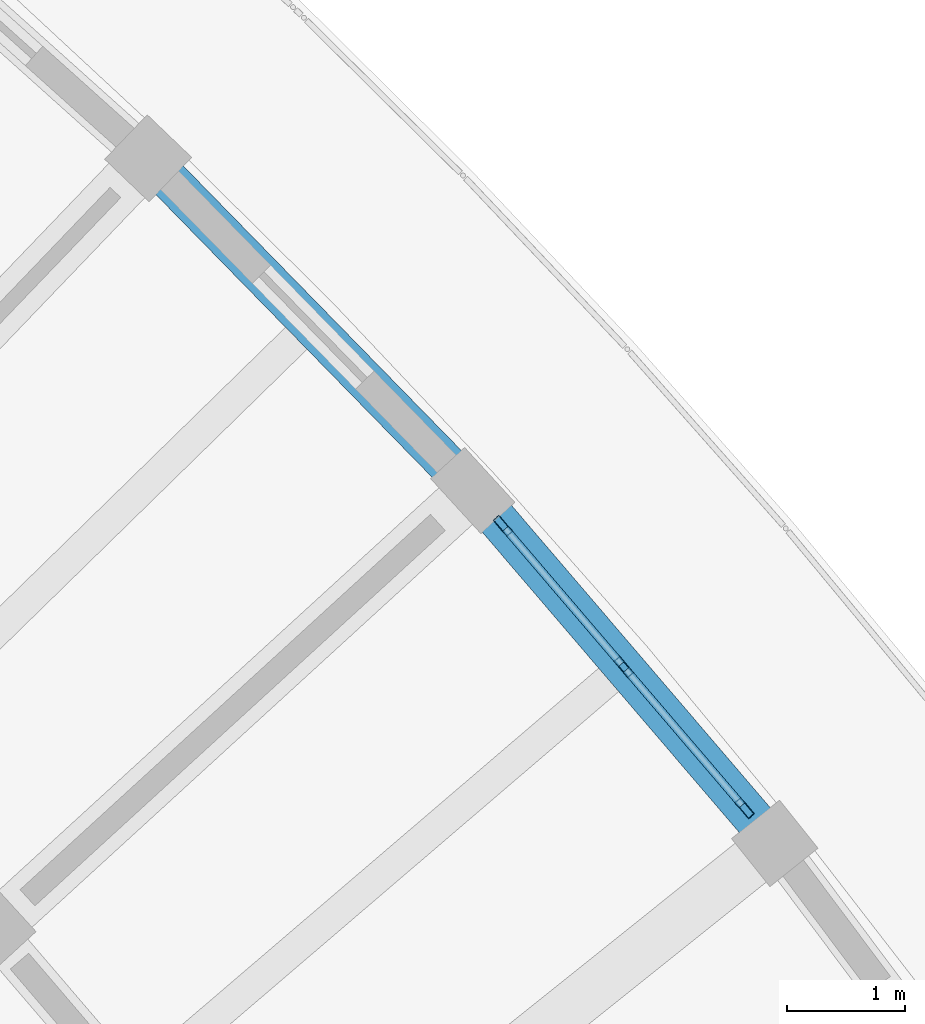
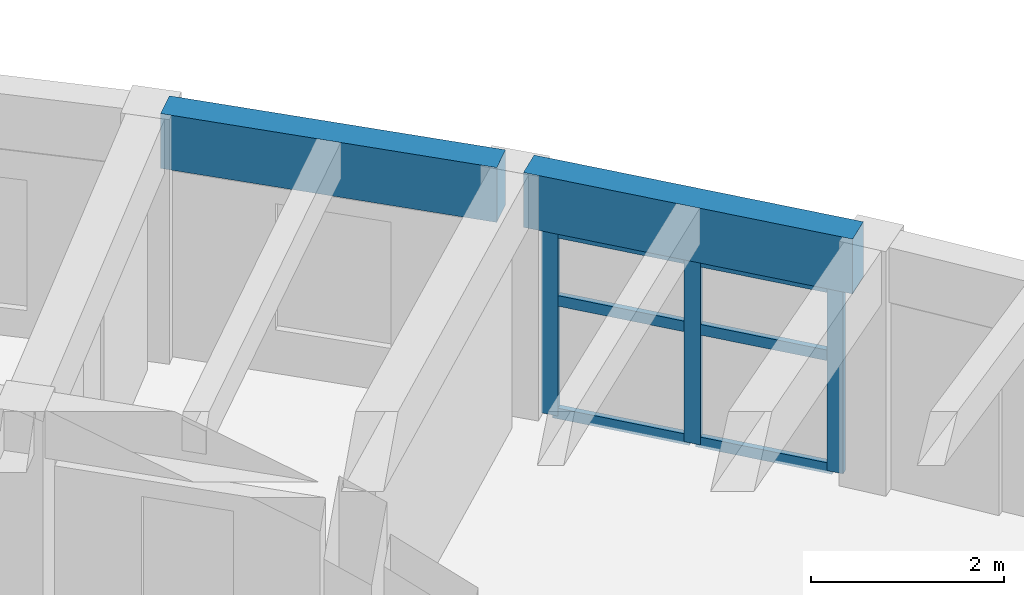
# One storey, part 11 of 32: 9 members, 2 beams, 1 element without a shape of its own.
"""IFC4 building model written with IfcOpenShell, lengths in metres."""

from ifc_helpers import new_model, si_unit, direction, frame, origin, origin_2d, place, context, subcontext, project, spatial, rectangle, hollow_rectangle, extrude, material, material_profile, profile_set, type_object, element, aggregate, save


model = new_model("IFC4")

# Units and contexts
model_context = context("Model", 3, precision=1e-05, world=origin(), true_north=direction((0.0, 1.0)))
body_context = subcontext(model_context, "Body", "Model", "MODEL_VIEW")
ifc_project = project(units=[si_unit("LENGTHUNIT", "METRE"), si_unit("AREAUNIT", "SQUARE_METRE"), si_unit("VOLUMEUNIT", "CUBIC_METRE"), si_unit("PLANEANGLEUNIT", "RADIAN"), si_unit("MASSUNIT", "GRAM", prefix="KILO")], contexts=[model_context])

# Site, building, storey
site_placement = place(None, origin())
site = spatial("IfcSite", under=ifc_project, at=site_placement, CompositionType="ELEMENT")
building_placement = place(site_placement, origin())
building = spatial("IfcBuilding", under=site, at=building_placement, Name="Tanwirah Colonnade Gardens", CompositionType="ELEMENT")
storey_placement = place(building_placement, frame((0.0, 0.0, 42.43994140625)))
storey = spatial("IfcBuildingStorey", under=building, at=storey_placement, Name="L12", CompositionType="ELEMENT", Elevation=42.43994140625)

# Curtain wall, members
ifc_material_1 = material(Name="Bronze-anodised aluminium and solar-control low-E glass", Category="aluminium")
curtain_wall_type = type_object("IfcCurtainWallType", Name="CW-LOB", PredefinedType="NOTDEFINED", material=ifc_material_1)
curtain_wall_placement = place(storey_placement, origin())
curtain_wall = element("IfcCurtainWall", 1, at=curtain_wall_placement, inside=storey, type_object=curtain_wall_type, Name="Curtain Wall CW-B-L12-OUT-06", PredefinedType="NOTDEFINED")
ifc_material_2 = material(Name="Bronze-anodised aluminium", Category="aluminium")
ifc_material_profile_1 = material_profile(ifc_material_2, hollow_rectangle(XDim=0.06494140625, YDim=0.179931640625, WallThickness=0.00390625, at=origin_2d()), Name="CW-MUL 65x180x4")
ifc_profile_set_1 = profile_set([ifc_material_profile_1], Name="Bronze-anodised aluminium")
member_type_1 = type_object("IfcMemberType", Name="CWM-65x180", PredefinedType="MULLION", material=ifc_profile_set_1)
member_1_placement = place(storey_placement, frame((167.2412109375, 97.704345703125, 0.0), z_axis=(0.0, 0.0, 1.0), x_axis=(-0.75977514318, -0.650185920953, 0.0)))
member_1 = element("IfcMember", 2, at=member_1_placement, type_object=member_type_1, Name="CW-LOB mullion 1", PredefinedType="MULLION", context=body_context, shape_type="SweptSolid", body=[
    extrude(hollow_rectangle(XDim=0.06494140625, YDim=0.179931640625, WallThickness=0.00390625, at=origin_2d()), origin(), (0.0, 0.0, 1.0), 2.35498046875),
])
member_2_placement = place(storey_placement, frame((166.219970703125, 98.8974609375, 0.0), z_axis=(0.0, 0.0, 1.0), x_axis=(-0.75977514318, -0.650185920953, 0.0)))
member_2 = element("IfcMember", 3, at=member_2_placement, type_object=member_type_1, Name="CW-LOB mullion 2", PredefinedType="MULLION", context=body_context, shape_type="SweptSolid", body=[
    extrude(hollow_rectangle(XDim=0.06494140625, YDim=0.179931640625, WallThickness=0.00390625, at=origin_2d()), origin(), (0.0, 0.0, 1.0), 2.35498046875),
])
member_3_placement = place(storey_placement, frame((165.198974609375, 100.090576171875, 0.0), z_axis=(0.0, 0.0, 1.0), x_axis=(-0.75977514318, -0.650185920953, 0.0)))
member_3 = element("IfcMember", 4, at=member_3_placement, type_object=member_type_1, Name="CW-LOB mullion 3", PredefinedType="MULLION", context=body_context, shape_type="SweptSolid", body=[
    extrude(hollow_rectangle(XDim=0.06494140625, YDim=0.179931640625, WallThickness=0.00390625, at=origin_2d()), origin(), (0.0, 0.0, 1.0), 2.35498046875),
])
ifc_material_profile_2 = material_profile(ifc_material_2, hollow_rectangle(XDim=0.06494140625, YDim=0.135009765625, WallThickness=0.00390625, at=origin_2d()), Name="CW-TRN 65x135x4")
ifc_profile_set_2 = profile_set([ifc_material_profile_2], Name="Bronze-anodised aluminium")
member_type_2 = type_object("IfcMemberType", Name="CWT-65x135", PredefinedType="USERDEFINED", material=ifc_profile_set_2)
member_4_placement = place(storey_placement, frame((167.219970703125, 97.72900390625, 0.032470703125), z_axis=(-0.650163434669, 0.759794385488, 0.0), x_axis=(-0.759794385488, -0.650163434669, 0.0)))
member_4 = element("IfcMember", 5, at=member_4_placement, type_object=member_type_2, Name="CW-LOB transom 1.1", ObjectType="TRANSOM", PredefinedType="USERDEFINED", context=body_context, shape_type="SweptSolid", body=[
    extrude(hollow_rectangle(XDim=0.06494140625, YDim=0.135009765625, WallThickness=0.00390625, at=origin_2d()), origin(), (0.0, 0.0, 1.0), 1.50537109375),
])
member_5_placement = place(storey_placement, frame((167.219970703125, 97.72900390625, 1.460205078125), z_axis=(-0.650163434669, 0.759794385488, 0.0), x_axis=(-0.759794385488, -0.650163434669, 0.0)))
member_5 = element("IfcMember", 6, at=member_5_placement, type_object=member_type_2, Name="CW-LOB transom 1.2", ObjectType="TRANSOM", PredefinedType="USERDEFINED", context=body_context, shape_type="SweptSolid", body=[
    extrude(hollow_rectangle(XDim=0.06494140625, YDim=0.135009765625, WallThickness=0.00390625, at=origin_2d()), origin(), (0.0, 0.0, 1.0), 1.50537109375),
])
member_6_placement = place(storey_placement, frame((167.219970703125, 97.72900390625, 2.322509765625), z_axis=(-0.650163434669, 0.759794385488, 0.0), x_axis=(-0.759794385488, -0.650163434669, 0.0)))
member_6 = element("IfcMember", 7, at=member_6_placement, type_object=member_type_2, Name="CW-LOB transom 1.3", ObjectType="TRANSOM", PredefinedType="USERDEFINED", context=body_context, shape_type="SweptSolid", body=[
    extrude(hollow_rectangle(XDim=0.06494140625, YDim=0.135009765625, WallThickness=0.00390625, at=origin_2d()), origin(), (0.0, 0.0, 1.0), 1.50537109375),
])
member_7_placement = place(storey_placement, frame((166.198974609375, 98.922119140625, 0.032470703125), z_axis=(-0.650163434669, 0.759794385488, 0.0), x_axis=(-0.759794385488, -0.650163434669, 0.0)))
member_7 = element("IfcMember", 8, at=member_7_placement, type_object=member_type_2, Name="CW-LOB transom 2.1", ObjectType="TRANSOM", PredefinedType="USERDEFINED", context=body_context, shape_type="SweptSolid", body=[
    extrude(hollow_rectangle(XDim=0.06494140625, YDim=0.135009765625, WallThickness=0.00390625, at=origin_2d()), origin(), (0.0, 0.0, 1.0), 1.50537109375),
])
member_8_placement = place(storey_placement, frame((166.198974609375, 98.922119140625, 1.460205078125), z_axis=(-0.650163434669, 0.759794385488, 0.0), x_axis=(-0.759794385488, -0.650163434669, 0.0)))
member_8 = element("IfcMember", 9, at=member_8_placement, type_object=member_type_2, Name="CW-LOB transom 2.2", ObjectType="TRANSOM", PredefinedType="USERDEFINED", context=body_context, shape_type="SweptSolid", body=[
    extrude(hollow_rectangle(XDim=0.06494140625, YDim=0.135009765625, WallThickness=0.00390625, at=origin_2d()), origin(), (0.0, 0.0, 1.0), 1.50537109375),
])
member_9_placement = place(storey_placement, frame((166.198974609375, 98.922119140625, 2.322509765625), z_axis=(-0.650163434669, 0.759794385488, 0.0), x_axis=(-0.759794385488, -0.650163434669, 0.0)))
member_9 = element("IfcMember", 10, at=member_9_placement, type_object=member_type_2, Name="CW-LOB transom 2.3", ObjectType="TRANSOM", PredefinedType="USERDEFINED", context=body_context, shape_type="SweptSolid", body=[
    extrude(hollow_rectangle(XDim=0.06494140625, YDim=0.135009765625, WallThickness=0.00390625, at=origin_2d()), origin(), (0.0, 0.0, 1.0), 1.50537109375),
])
aggregate(curtain_wall, [member_1, member_2, member_3, member_4, member_5, member_6, member_7, member_8, member_9])

# Beams
ifc_material_3 = material(Name="Precast concrete C40/50", Category="concrete")
ifc_material_profile_3 = material_profile(ifc_material_3, rectangle(XDim=0.3349609375, YDim=0.695068359375, at=origin_2d()), Name="PC-SP 335x695")
ifc_profile_set_3 = profile_set([ifc_material_profile_3], Name="Precast concrete C40/50")
beam_type = type_object("IfcBeamType", Name="SP-PC300", PredefinedType="SPANDREL", material=ifc_profile_set_3)
beam_1_placement = place(storey_placement, frame((167.398681640625, 97.52001953125, 2.75244140625), z_axis=(-0.650170105297, 0.759788677317, 0.0), x_axis=(-0.759788677317, -0.650170105297, 0.0)))
element("IfcBeam", 11, at=beam_1_placement, inside=storey, type_object=beam_type, Name="Block B L12 Circumferential Beam 6-R3", PredefinedType="SPANDREL", context=body_context, shape_type="SweptSolid", body=[
    extrude(rectangle(XDim=0.3349609375, YDim=0.695068359375, at=origin_2d()), origin(), (0.0, 0.0, 1.0), 3.625732421875),
])
beam_2_placement = place(storey_placement, frame((164.839111328125, 100.49609375, 2.75244140625), z_axis=(-0.698844493997, 0.715273635199, 0.0), x_axis=(-0.715273635199, -0.698844493997, 0.0)))
element("IfcBeam", 12, at=beam_2_placement, inside=storey, type_object=beam_type, Name="Block B L12 Circumferential Beam 7-R3", PredefinedType="SPANDREL", context=body_context, shape_type="SweptSolid", body=[
    extrude(rectangle(XDim=0.3349609375, YDim=0.695068359375, at=origin_2d()), origin(), (0.0, 0.0, 1.0), 3.6259765625),
])

save(model, "model.ifc")
